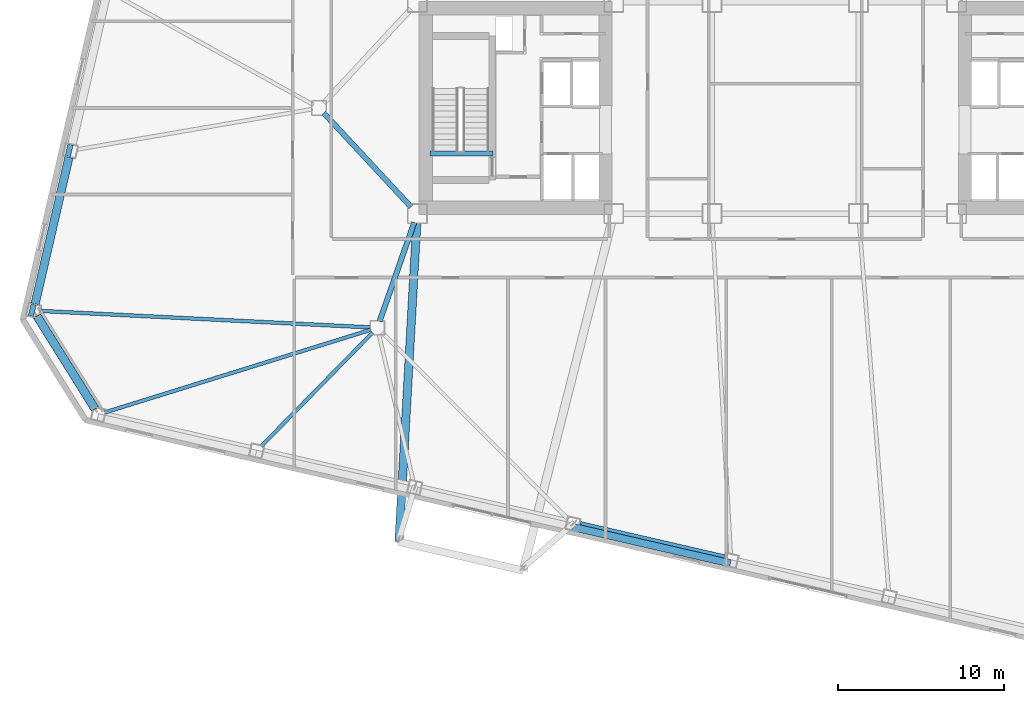
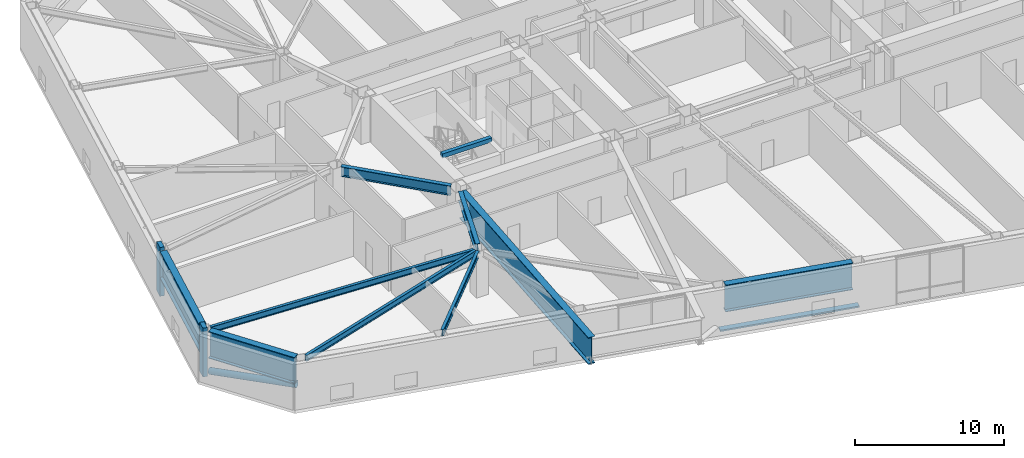
# One storey, part 3 of 20: 10 beams, 4 members.
"""IFC4 building model written with IfcOpenShell, lengths in metres."""

from ifc_helpers import new_model, si_unit, direction, frame, origin, origin_2d, place, context, subcontext, project, spatial, rectangle, hollow_circle, i_section, extrude, material, material_profile, profile_set, type_object, element, save


model = new_model("IFC4")

# Units and contexts
model_context = context("Model", 3, precision=1e-05, world=origin(), true_north=direction((0.0, 1.0)))
body_context = subcontext(model_context, "Body", "Model", "MODEL_VIEW")
ifc_project = project(units=[si_unit("LENGTHUNIT", "METRE"), si_unit("AREAUNIT", "SQUARE_METRE"), si_unit("VOLUMEUNIT", "CUBIC_METRE"), si_unit("PLANEANGLEUNIT", "RADIAN"), si_unit("MASSUNIT", "GRAM", prefix="KILO")], contexts=[model_context])

# Site, building, storey
site_placement = place(None, origin())
site = spatial("IfcSite", under=ifc_project, at=site_placement, CompositionType="ELEMENT")
building_placement = place(site_placement, origin())
building = spatial("IfcBuilding", under=site, at=building_placement, Name="Tavrogorsk Clinical Tower", CompositionType="ELEMENT")
storey_placement = place(building_placement, frame((0.0, 0.0, 39.39990234375)))
storey = spatial("IfcBuildingStorey", under=building, at=storey_placement, Name="L07", CompositionType="ELEMENT", Elevation=39.39990234375)

# Members
ifc_material_1 = material(Name="Anodised aluminium alloy AW-6063", Category="aluminium")
ifc_material_profile_1 = material_profile(ifc_material_1, rectangle(XDim=0.449951171875, YDim=0.1201171875, at=origin_2d()), Name="ALU-SUNSHADE-450x120")
ifc_profile_set_1 = profile_set([ifc_material_profile_1], Name="Anodised aluminium alloy AW-6063")
member_type_1 = type_object("IfcMemberType", Name="ChicagoSunshade_450x120", PredefinedType="USERDEFINED", material=ifc_profile_set_1)
member_1_placement = place(storey_placement, frame((-12.795654296875, -25.16015625, 0.18017578125), z_axis=(0.974366709214, -0.224965588425, 0.0), x_axis=(0.224965588425, 0.974366709214, 0.0)))
element("IfcMember", 1, at=member_1_placement, inside=storey, type_object=member_type_1, Name="L07 South Aluminium Sunshade S4", ObjectType="SUNSHADE", PredefinedType="USERDEFINED", context=body_context, shape_type="SweptSolid", body=[
    extrude(rectangle(XDim=0.449951171875, YDim=0.1201171875, at=origin_2d()), origin(), (0.0, 0.0, 1.0), 9.748779296875),
])
ifc_material_2 = material(Name="Structural steel S440", Category="steel")
ifc_material_profile_2 = material_profile(ifc_material_2, hollow_circle(Radius=0.25390625, WallThickness=0.02001953125, at=origin_2d()), Name="CHS-508x20")
ifc_profile_set_2 = profile_set([ifc_material_profile_2], Name="Structural steel S440")
member_type_2 = type_object("IfcMemberType", Name="ExoBrace_CHS508", PredefinedType="BRACE", material=ifc_profile_set_2)
member_2_placement = place(storey_placement, frame((-44.934814453125, -12.510986328125, 0.365234375), z_axis=(0.523088659359, -0.837170036899, 0.159764150445), x_axis=(0.8480632277, 0.529895047932, 0.0)))
element("IfcMember", 2, at=member_2_placement, inside=storey, type_object=member_type_2, Name="L07 Corner Exoskeleton Brace W5-S1", PredefinedType="BRACE", context=body_context, shape_type="SweptSolid", body=[
    extrude(hollow_circle(Radius=0.25390625, WallThickness=0.02001953125, at=origin_2d()), origin(), (0.0, 0.0, 1.0), 6.633544921875),
])

# Beams
ifc_material_3 = material(Name="Structural steel S355", Category="steel")
ifc_material_profile_3 = material_profile(ifc_material_3, i_section(OverallWidth=0.219970703125, OverallDepth=0.5, WebThickness=0.012939453125, FlangeThickness=0.02001953125, at=origin_2d()), Name="B-500x220x13x20")
ifc_profile_set_3 = profile_set([ifc_material_profile_3], Name="Structural steel S355")
beam_type_1 = type_object("IfcBeamType", Name="FloorBeam_B500", PredefinedType="BEAM", material=ifc_profile_set_3)
beam_1_placement = place(storey_placement, frame((-24.8916015625, -13.32177734375, 3.489990234375), z_axis=(-0.954946638684, -0.296777555193, 0.0), x_axis=(0.296777555193, -0.954946638684, 0.0)))
element("IfcBeam", 3, at=beam_1_placement, inside=storey, type_object=beam_type_1, Name="L07 Radial Floor Beam S1", PredefinedType="BEAM", context=body_context, shape_type="SweptSolid", body=[
    extrude(i_section(OverallWidth=0.219970703125, OverallDepth=0.5, WebThickness=0.012939453125, FlangeThickness=0.02001953125, at=origin_2d()), origin(), (0.0, 0.0, 1.0), 16.723388671875),
])
beam_2_placement = place(storey_placement, frame((-24.787109375, -13.492919921875, 3.489990234375), z_axis=(-0.699997226081, -0.714145561828, 0.0), x_axis=(0.714145561828, -0.699997226081, 0.0)))
element("IfcBeam", 4, at=beam_2_placement, inside=storey, type_object=beam_type_1, Name="L07 Radial Floor Beam S2", PredefinedType="BEAM", context=body_context, shape_type="SweptSolid", body=[
    extrude(i_section(OverallWidth=0.219970703125, OverallDepth=0.5, WebThickness=0.012939453125, FlangeThickness=0.02001953125, at=origin_2d()), origin(), (0.0, 0.0, 1.0), 9.54248046875),
])
beam_3_placement = place(storey_placement, frame((-24.909423828125, -13.179443359375, 3.489990234375), z_axis=(-0.998757515428, 0.049833978136, 0.0), x_axis=(-0.049833978136, -0.998757515428, 0.0)))
element("IfcBeam", 5, at=beam_3_placement, inside=storey, type_object=beam_type_1, Name="L07 Radial Floor Beam W5", PredefinedType="BEAM", context=body_context, shape_type="SweptSolid", body=[
    extrude(i_section(OverallWidth=0.219970703125, OverallDepth=0.5, WebThickness=0.012939453125, FlangeThickness=0.02001953125, at=origin_2d()), origin(), (0.0, 0.0, 1.0), 19.85595703125),
])

# Members
ifc_material_4 = material(Name="Precast concrete B45 with limestone cladding", Category="masonry")
ifc_material_profile_4 = material_profile(ifc_material_4, rectangle(XDim=0.320068359375, YDim=0.719970703125, at=origin_2d()), Name="LIMESTONE-FIN-320x720")
ifc_profile_set_4 = profile_set([ifc_material_profile_4], Name="Precast concrete B45 with limestone cladding")
member_type_3 = type_object("IfcMemberType", Name="LimestonePleatFin_320x720", PredefinedType="USERDEFINED", material=ifc_profile_set_4)
for number, where, z_axis, x_axis, name in (
    (6, (-43.008056640625, -2.544189453125, 0.0), (0.0, 0.0, 1.0), (0.974370064785, -0.224951054344, 0.0), "L07 W Pleated Stone Fin 3"),
    (7, (-45.226318359375, -12.151611328125, 0.0), (0.0, 0.0, 1.0), (0.974370064785, -0.224951054344, 0.0), "L07 W Pleated Stone Fin 4"),
):
    element("IfcMember", number, at=place(storey_placement, frame(where, z_axis=z_axis, x_axis=x_axis)), inside=storey, type_object=member_type_3, Name=name, ObjectType="FIN", PredefinedType="USERDEFINED", context=body_context, shape_type="SweptSolid", body=[
        extrude(rectangle(XDim=0.320068359375, YDim=0.719970703125, at=origin_2d()), origin(), (0.0, 0.0, 1.0), 4.0),
    ])

# Beams
ifc_material_5 = material(Name="Structural steel S390", Category="steel")
ifc_material_profile_5 = material_profile(ifc_material_5, i_section(OverallWidth=0.320068359375, OverallDepth=0.800048828125, WebThickness=0.02001953125, FlangeThickness=0.033935546875, at=origin_2d()), Name="B-800x320x20x34")
ifc_profile_set_5 = profile_set([ifc_material_profile_5], Name="Structural steel S390")
beam_type_2 = type_object("IfcBeamType", Name="PrimaryGirder_B800", PredefinedType="USERDEFINED", material=ifc_profile_set_5)
beam_4_placement = place(storey_placement, frame((-24.364501953125, -12.81298828125, 3.340087890625), z_axis=(0.330668611543, 0.943746930771, 0.0), x_axis=(-0.943746930771, 0.330668611543, 0.0)))
element("IfcBeam", 8, at=beam_4_placement, inside=storey, type_object=beam_type_2, Name="L07 Spine Link Girder OPG-1", ObjectType="GIRDER", PredefinedType="USERDEFINED", context=body_context, shape_type="SweptSolid", body=[
    extrude(i_section(OverallWidth=0.320068359375, OverallDepth=0.800048828125, WebThickness=0.02001953125, FlangeThickness=0.033935546875, at=origin_2d()), origin(), (0.0, 0.0, 1.0), 6.288330078125),
])
beam_5_placement = place(storey_placement, frame((-27.720947265625, -0.30029296875, 3.340087890625), z_axis=(0.680671250221, -0.732589004233, 0.0), x_axis=(0.732589004233, 0.680671250221, 0.0)))
element("IfcBeam", 9, at=beam_5_placement, inside=storey, type_object=beam_type_2, Name="L07 Spine Link Girder OPG-5", ObjectType="GIRDER", PredefinedType="USERDEFINED", context=body_context, shape_type="SweptSolid", body=[
    extrude(i_section(OverallWidth=0.320068359375, OverallDepth=0.800048828125, WebThickness=0.02001953125, FlangeThickness=0.033935546875, at=origin_2d()), origin(), (0.0, 0.0, 1.0), 7.697998046875),
])
ifc_material_6 = material(Name="Concrete B60", Category="concrete")
ifc_material_profile_6 = material_profile(ifc_material_6, rectangle(XDim=0.300048828125, YDim=0.35009765625, at=origin_2d()), Name="RC-SHB-300x350")
ifc_profile_set_6 = profile_set([ifc_material_profile_6], Name="Concrete B60")
beam_type_3 = type_object("IfcBeamType", Name="StairHeaderBeam_RC300x350", PredefinedType="BEAM", material=ifc_profile_set_6)
beam_6_placement = place(storey_placement, frame((-21.35009765625, -2.719970703125, 3.8251953125), z_axis=(1.0, 0.0, 0.0), x_axis=(0.0, 1.0, 0.0)))
element("IfcBeam", 10, at=beam_6_placement, inside=storey, type_object=beam_type_3, Name="L08 ST-W Landing Header Beam", PredefinedType="BEAM", context=body_context, shape_type="SweptSolid", body=[
    extrude(rectangle(XDim=0.300048828125, YDim=0.35009765625, at=origin_2d()), origin(), (0.0, 0.0, 1.0), 3.800048828125),
])
ifc_material_7 = material(Name="Structural steel S440", Category="steel")
ifc_material_profile_7 = material_profile(ifc_material_7, i_section(OverallWidth=0.5, OverallDepth=2.199951171875, WebThickness=0.035888671875, FlangeThickness=0.054931640625, at=origin_2d()), Name="DK-2200x500x36x55")
ifc_profile_set_7 = profile_set([ifc_material_profile_7], Name="Structural steel S440")
beam_type_4 = type_object("IfcBeamType", Name="TransferGirder_DK2200", PredefinedType="USERDEFINED", material=ifc_profile_set_7)
beam_7_placement = place(storey_placement, frame((-12.357666015625, -25.07666015625, 2.64013671875), z_axis=(0.974372766602, -0.224939351168, 0.0), x_axis=(0.224939351168, 0.974372766602, 0.0)))
element("IfcBeam", 11, at=beam_7_placement, inside=storey, type_object=beam_type_4, Name="L07 Perimeter Spandrel S4-S5", ObjectType="GIRDER", PredefinedType="USERDEFINED", context=body_context, shape_type="SweptSolid", body=[
    extrude(i_section(OverallWidth=0.5, OverallDepth=2.199951171875, WebThickness=0.035888671875, FlangeThickness=0.054931640625, at=origin_2d()), origin(), (0.0, 0.0, 1.0), 8.9326171875),
])
beam_8_placement = place(storey_placement, frame((-43.02197265625, -2.959716796875, 2.64013671875), z_axis=(-0.224971881043, -0.974365256328, 0.0), x_axis=(0.974365256328, -0.224971881043, 0.0)))
element("IfcBeam", 12, at=beam_8_placement, inside=storey, type_object=beam_type_4, Name="L07 Perimeter Spandrel W4-W5", ObjectType="GIRDER", PredefinedType="USERDEFINED", context=body_context, shape_type="SweptSolid", body=[
    extrude(i_section(OverallWidth=0.5, OverallDepth=2.199951171875, WebThickness=0.035888671875, FlangeThickness=0.054931640625, at=origin_2d()), origin(), (0.0, 0.0, 1.0), 9.044189453125),
])
beam_9_placement = place(storey_placement, frame((-44.93212890625, -12.515380859375, 2.64013671875), z_axis=(0.529908311255, -0.848054940238, 0.0), x_axis=(0.848054940238, 0.529908311255, 0.0)))
element("IfcBeam", 13, at=beam_9_placement, inside=storey, type_object=beam_type_4, Name="L07 Perimeter Spandrel W5-S1", ObjectType="GIRDER", PredefinedType="USERDEFINED", context=body_context, shape_type="SweptSolid", body=[
    extrude(i_section(OverallWidth=0.5, OverallDepth=2.199951171875, WebThickness=0.035888671875, FlangeThickness=0.054931640625, at=origin_2d()), origin(), (0.0, 0.0, 1.0), 6.5380859375),
])
beam_10_placement = place(storey_placement, frame((-22.13134765625, -6.9091796875, 2.64013671875), z_axis=(-0.055868340407, -0.998438144574, 0.0), x_axis=(0.998438144574, -0.055868340407, 0.0)))
element("IfcBeam", 14, at=beam_10_placement, inside=storey, type_object=beam_type_4, Name="L08 Day-Room Base Transfer Girder DRB-01-L", ObjectType="GIRDER", PredefinedType="USERDEFINED", context=body_context, shape_type="SweptSolid", body=[
    extrude(i_section(OverallWidth=0.5, OverallDepth=2.199951171875, WebThickness=0.035888671875, FlangeThickness=0.054931640625, at=origin_2d()), origin(), (0.0, 0.0, 1.0), 19.1796875),
])

save(model, "model.ifc")
